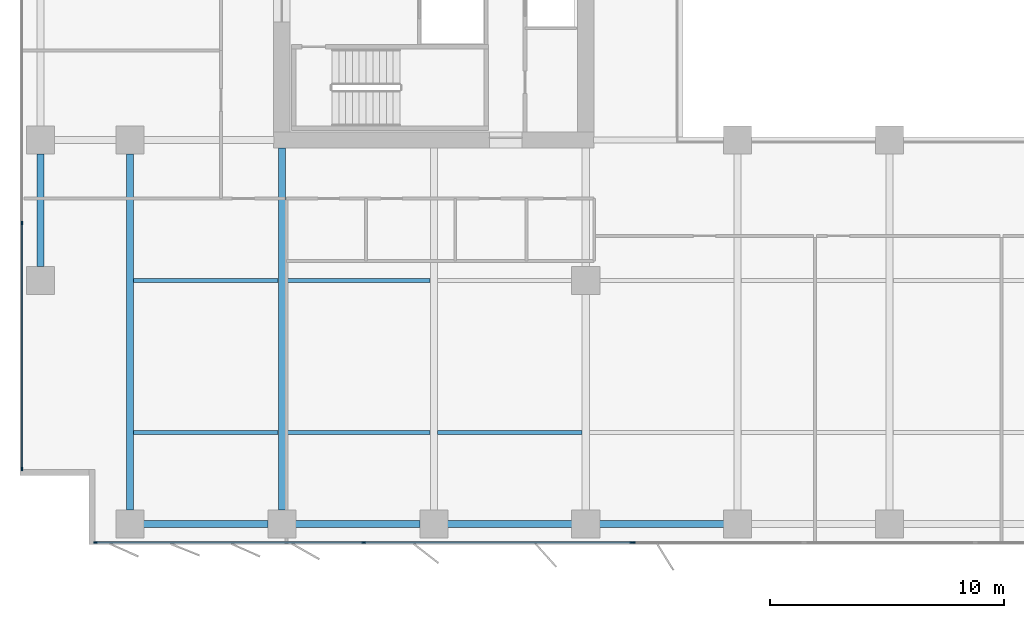
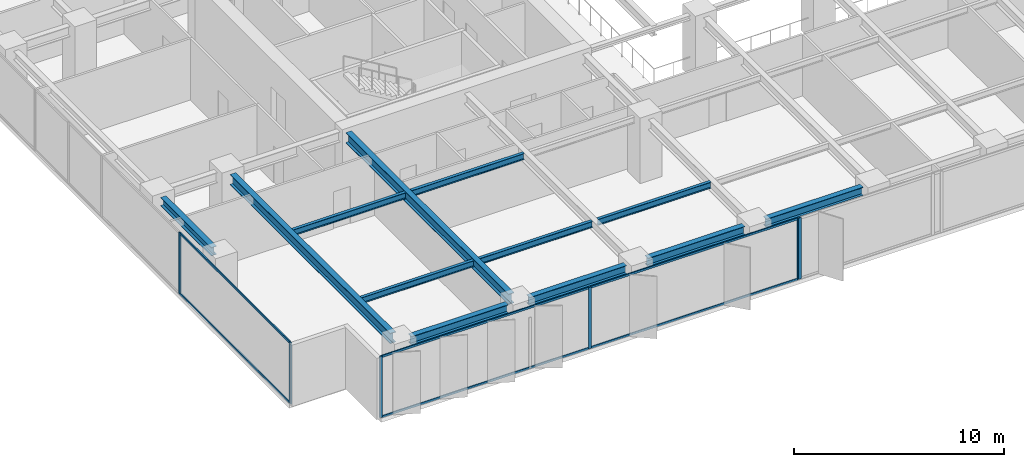
# One storey, part 2 of 20: 12 beams, 12 members, 3 elements without a shape of their own.
"""IFC4 building model written with IfcOpenShell, lengths in metres."""

from ifc_helpers import new_model, si_unit, direction, frame, origin, origin_2d, place, context, subcontext, project, spatial, rectangle, i_section, extrude, material, layer, layer_set, material_profile, profile_set, type_object, element, aggregate, save


model = new_model("IFC4")

# Units and contexts
model_context = context("Model", 3, precision=1e-05, world=origin(), true_north=direction((0.0, 1.0)))
body_context = subcontext(model_context, "Body", "Model", "MODEL_VIEW")
ifc_project = project(units=[si_unit("LENGTHUNIT", "METRE"), si_unit("AREAUNIT", "SQUARE_METRE"), si_unit("VOLUMEUNIT", "CUBIC_METRE"), si_unit("PLANEANGLEUNIT", "RADIAN"), si_unit("MASSUNIT", "GRAM", prefix="KILO")], contexts=[model_context])

# Site, building, storey
site_placement = place(None, origin())
site = spatial("IfcSite", under=ifc_project, at=site_placement, CompositionType="ELEMENT")
building_placement = place(site_placement, origin())
building = spatial("IfcBuilding", under=site, at=building_placement, Name="Putna Gate Headquarters", CompositionType="ELEMENT")
storey_placement = place(building_placement, frame((0.0, 0.0, 120.199951171875)))
storey = spatial("IfcBuildingStorey", under=building, at=storey_placement, Name="L29", CompositionType="ELEMENT", Elevation=120.199951171875)

# Beams
ifc_material_1 = material(Name="Steel S355J2", Category="steel")
ifc_material_profile_1 = material_profile(ifc_material_1, i_section(OverallWidth=0.300048828125, OverallDepth=0.60009765625, WebThickness=0.015380859375, FlangeThickness=0.030029296875, at=origin_2d()), Name="Steel S355J2")
ifc_profile_set_1 = profile_set([ifc_material_profile_1], Name="Steel S355J2")
beam_type_1 = type_object("IfcBeamType", Name="BM-GIRD-Z2-HEB600", PredefinedType="USERDEFINED", material=ifc_profile_set_1)
beam_1_placement = place(storey_placement, frame((6.5, 3.16796875, 3.26513671875), z_axis=(0.0, 1.0, 0.0), x_axis=(-1.0, 0.0, 0.0)))
element("IfcBeam", 1, at=beam_1_placement, inside=storey, type_object=beam_type_1, Name="L29 South Primary Girder X6", ObjectType="GIRDER", PredefinedType="USERDEFINED", context=body_context, shape_type="SweptSolid", body=[
    extrude(i_section(OverallWidth=0.300048828125, OverallDepth=0.60009765625, WebThickness=0.015380859375, FlangeThickness=0.030029296875, at=origin_2d()), origin(), (0.0, 0.0, 1.0), 15.244140625),
])
beam_2_placement = place(storey_placement, frame((13.0, 3.16796875, 3.26513671875), z_axis=(0.0, 1.0, 0.0), x_axis=(-1.0, 0.0, 0.0)))
element("IfcBeam", 2, at=beam_2_placement, inside=storey, type_object=beam_type_1, Name="L29 South Primary Girder X13", ObjectType="GIRDER", PredefinedType="USERDEFINED", context=body_context, shape_type="SweptSolid", body=[
    extrude(i_section(OverallWidth=0.300048828125, OverallDepth=0.60009765625, WebThickness=0.015380859375, FlangeThickness=0.030029296875, at=origin_2d()), origin(), (0.0, 0.0, 1.0), 15.4970703125),
])
ifc_material_profile_2 = material_profile(ifc_material_1, i_section(OverallWidth=0.169921875, OverallDepth=0.360107421875, WebThickness=0.008056640625, FlangeThickness=0.0126953125, at=origin_2d()), Name="Steel S355J2")
ifc_profile_set_2 = profile_set([ifc_material_profile_2], Name="Steel S355J2")
beam_type_2 = type_object("IfcBeamType", Name="BM-SEC-Z2-IPE360", PredefinedType="BEAM", material=ifc_profile_set_2)
for number, where, z_axis, x_axis, name in (
    (3, (6.654052734375, 6.5, 3.385009765625), (1.0, 0.0, 0.0), (0.0, 1.0, 0.0), "L29 South Secondary Beam 1"),
    (4, (6.654052734375, 13.0, 3.385009765625), (1.0, 0.0, 0.0), (0.0, 1.0, 0.0), "L29 South Secondary Beam 1"),
    (5, (13.154052734375, 6.5, 3.385009765625), (1.0, 0.0, 0.0), (0.0, 1.0, 0.0), "L29 South Secondary Beam 2"),
    (6, (13.154052734375, 13.0, 3.385009765625), (1.0, 0.0, 0.0), (0.0, 1.0, 0.0), "L29 South Secondary Beam 2"),
    (7, (19.654052734375, 6.5, 3.385009765625), (1.0, 0.0, 0.0), (0.0, 1.0, 0.0), "L29 South Secondary Beam 3"),
):
    element("IfcBeam", number, at=place(storey_placement, frame(where, z_axis=z_axis, x_axis=x_axis)), inside=storey, type_object=beam_type_2, Name=name, PredefinedType="BEAM", context=body_context, shape_type="SweptSolid", body=[
        extrude(i_section(OverallWidth=0.169921875, OverallDepth=0.360107421875, WebThickness=0.008056640625, FlangeThickness=0.0126953125, at=origin_2d()), origin(), (0.0, 0.0, 1.0), 6.19189453125),
    ])
ifc_material_profile_3 = material_profile(ifc_material_1, i_section(OverallWidth=0.300048828125, OverallDepth=0.489990234375, WebThickness=0.011962890625, FlangeThickness=0.02294921875, at=origin_2d()), Name="Steel S355J2")
ifc_profile_set_3 = profile_set([ifc_material_profile_3], Name="Steel S355J2")
beam_type_3 = type_object("IfcBeamType", Name="BM-SPAN-Z2-HEA500", PredefinedType="SPANDREL", material=ifc_profile_set_3)
for number, where, z_axis, x_axis, name in (
    (8, (7.087890625, 2.580078125, 3.320068359375), (1.0, 0.0, 0.0), (0.0, 1.0, 0.0), "L29 S Perimeter Spandrel 1"),
    (9, (13.587890625, 2.580078125, 3.320068359375), (1.0, 0.0, 0.0), (0.0, 1.0, 0.0), "L29 S Perimeter Spandrel 2"),
    (10, (20.087890625, 2.580078125, 3.320068359375), (1.0, 0.0, 0.0), (0.0, 1.0, 0.0), "L29 S Perimeter Spandrel 3"),
    (11, (26.587890625, 2.580078125, 3.320068359375), (1.0, 0.0, 0.0), (0.0, 1.0, 0.0), "L29 S Perimeter Spandrel 4"),
):
    element("IfcBeam", number, at=place(storey_placement, frame(where, z_axis=z_axis, x_axis=x_axis)), inside=storey, type_object=beam_type_3, Name=name, PredefinedType="SPANDREL", context=body_context, shape_type="SweptSolid", body=[
        extrude(i_section(OverallWidth=0.300048828125, OverallDepth=0.489990234375, WebThickness=0.011962890625, FlangeThickness=0.02294921875, at=origin_2d()), origin(), (0.0, 0.0, 1.0), 5.32421875),
    ])
beam_3_placement = place(storey_placement, frame((2.679931640625, 13.587890625, 3.320068359375), z_axis=(0.0, 1.0, 0.0), x_axis=(-1.0, 0.0, 0.0)))
element("IfcBeam", 12, at=beam_3_placement, inside=storey, type_object=beam_type_3, Name="L29 W End Spandrel 1", PredefinedType="SPANDREL", context=body_context, shape_type="SweptSolid", body=[
    extrude(i_section(OverallWidth=0.300048828125, OverallDepth=0.489990234375, WebThickness=0.011962890625, FlangeThickness=0.02294921875, at=origin_2d()), origin(), (0.0, 0.0, 1.0), 4.82421875),
])

# Curtain wall, members
ifc_material_2 = material(Name="Anodised bronze aluminium curtain wall", Category="aluminium")
ifc_layer_1 = layer(ifc_material_2, 0.159912109375)
ifc_layer_set_1 = layer_set([ifc_layer_1], Name="Anodised bronze aluminium curtain wall")
curtain_wall_type_1 = type_object("IfcCurtainWallType", Name="CW-SYS-Z2", PredefinedType="USERDEFINED", material=ifc_layer_set_1)
curtain_wall_1_placement = place(storey_placement, origin())
curtain_wall_1 = element("IfcCurtainWall", 13, at=curtain_wall_1_placement, inside=storey, type_object=curtain_wall_type_1, Name="L29 South West Curtain Wall", ObjectType="STICK CURTAIN WALL", PredefinedType="USERDEFINED")
ifc_material_3 = material(Name="Anodised bronze aluminium EN AW-6060", Category="aluminium")
ifc_material_profile_4 = material_profile(ifc_material_3, rectangle(XDim=0.06494140625, YDim=0.159912109375, at=origin_2d()), Name="Anodised bronze aluminium EN AW-6060")
ifc_profile_set_4 = profile_set([ifc_material_profile_4], Name="Anodised bronze aluminium EN AW-6060")
member_type_1 = type_object("IfcMemberType", Name="MULL-CWM-2", PredefinedType="MULLION", material=ifc_profile_set_4)
member_1_placement = place(storey_placement, frame((5.032470703125, 1.780029296875, 0.0), z_axis=(0.0, 0.0, 1.0), x_axis=(0.0, 1.0, 0.0)))
member_1 = element("IfcMember", 14, at=member_1_placement, type_object=member_type_1, Name="CWS-2 mullion 1", PredefinedType="MULLION", context=body_context, shape_type="SweptSolid", body=[
    extrude(rectangle(XDim=0.06494140625, YDim=0.159912109375, at=origin_2d()), origin(), (0.0, 0.0, 1.0), 3.56494140625),
])
member_2_placement = place(storey_placement, frame((16.5, 1.780029296875, 0.0), z_axis=(0.0, 0.0, 1.0), x_axis=(0.0, 1.0, 0.0)))
member_2 = element("IfcMember", 15, at=member_2_placement, type_object=member_type_1, Name="CWS-2 mullion 2", PredefinedType="MULLION", context=body_context, shape_type="SweptSolid", body=[
    extrude(rectangle(XDim=0.06494140625, YDim=0.159912109375, at=origin_2d()), origin(), (0.0, 0.0, 1.0), 3.56494140625),
])
member_3_placement = place(storey_placement, frame((27.967529296875, 1.780029296875, 0.0), z_axis=(0.0, 0.0, 1.0), x_axis=(0.0, 1.0, 0.0)))
member_3 = element("IfcMember", 16, at=member_3_placement, type_object=member_type_1, Name="CWS-2 mullion 3", PredefinedType="MULLION", context=body_context, shape_type="SweptSolid", body=[
    extrude(rectangle(XDim=0.06494140625, YDim=0.159912109375, at=origin_2d()), origin(), (0.0, 0.0, 1.0), 3.56494140625),
])

curtain_wall_2_placement = place(storey_placement, origin())
curtain_wall_2 = element("IfcCurtainWall", 17, at=curtain_wall_2_placement, inside=storey, type_object=curtain_wall_type_1, Name="L29 West Curtain Wall", ObjectType="STICK CURTAIN WALL", PredefinedType="USERDEFINED")
member_4_placement = place(storey_placement, frame((1.8798828125, 4.9326171875, 0.0), z_axis=(0.0, 0.0, 1.0), x_axis=(-1.0, 0.0, 0.0)))
member_4 = element("IfcMember", 18, at=member_4_placement, type_object=member_type_1, Name="CWS-2 mullion 1", PredefinedType="MULLION", context=body_context, shape_type="SweptSolid", body=[
    extrude(rectangle(XDim=0.06494140625, YDim=0.159912109375, at=origin_2d()), origin(), (0.0, 0.0, 1.0), 3.56494140625),
])
member_5_placement = place(storey_placement, frame((1.8798828125, 15.449951171875, 0.0), z_axis=(0.0, 0.0, 1.0), x_axis=(-1.0, 0.0, 0.0)))
member_5 = element("IfcMember", 19, at=member_5_placement, type_object=member_type_1, Name="CWS-2 mullion 2", PredefinedType="MULLION", context=body_context, shape_type="SweptSolid", body=[
    extrude(rectangle(XDim=0.06494140625, YDim=0.159912109375, at=origin_2d()), origin(), (0.0, 0.0, 1.0), 3.56494140625),
])

# Curtain wall, member
ifc_layer_2 = layer(ifc_material_2, 0.179931640625)
ifc_layer_set_2 = layer_set([ifc_layer_2], Name="Anodised bronze aluminium curtain wall")
curtain_wall_type_2 = type_object("IfcCurtainWallType", Name="CW-SYS-ATR", PredefinedType="USERDEFINED", material=ifc_layer_set_2)
curtain_wall_3_placement = place(storey_placement, origin())
curtain_wall_3 = element("IfcCurtainWall", 20, at=curtain_wall_3_placement, inside=storey, type_object=curtain_wall_type_2, Name="L29 South Atrium Clear Glazing", ObjectType="ATRIUM GLAZING", PredefinedType="USERDEFINED")
ifc_material_profile_5 = material_profile(ifc_material_3, rectangle(XDim=0.070068359375, YDim=0.179931640625, at=origin_2d()), Name="Anodised bronze aluminium EN AW-6060")
ifc_profile_set_5 = profile_set([ifc_material_profile_5], Name="Anodised bronze aluminium EN AW-6060")
member_type_2 = type_object("IfcMemberType", Name="MULL-CWM-AT", PredefinedType="MULLION", material=ifc_profile_set_5)
member_6_placement = place(storey_placement, frame((28.034912109375, 1.780029296875, 0.0), z_axis=(0.0, 0.0, 1.0), x_axis=(0.0, 1.0, 0.0)))
member_6 = element("IfcMember", 21, at=member_6_placement, type_object=member_type_2, Name="CWS-AT mullion 1", PredefinedType="MULLION", context=body_context, shape_type="SweptSolid", body=[
    extrude(rectangle(XDim=0.070068359375, YDim=0.179931640625, at=origin_2d()), origin(), (0.0, 0.0, 1.0), 3.56494140625),
])
aggregate(curtain_wall_3, [member_6])

# Member
ifc_material_profile_6 = material_profile(ifc_material_3, rectangle(XDim=0.06494140625, YDim=0.1201171875, at=origin_2d()), Name="Anodised bronze aluminium EN AW-6060")
ifc_profile_set_6 = profile_set([ifc_material_profile_6], Name="Anodised bronze aluminium EN AW-6060")
member_type_3 = type_object("IfcMemberType", Name="TRAN-CWT-2", PredefinedType="USERDEFINED", material=ifc_profile_set_6)
member_7_placement = place(storey_placement, frame((5.06494140625, 1.780029296875, 0.032470703125), z_axis=(1.0, 0.0, 0.0), x_axis=(0.0, 1.0, 0.0)))
member_7 = element("IfcMember", 22, at=member_7_placement, type_object=member_type_3, Name="CWS-2 transom 1.1", ObjectType="TRANSOM", PredefinedType="USERDEFINED", context=body_context, shape_type="SweptSolid", body=[
    extrude(rectangle(XDim=0.06494140625, YDim=0.1201171875, at=origin_2d()), origin(), (0.0, 0.0, 1.0), 11.402587890625),
])

member_8_placement = place(storey_placement, frame((5.06494140625, 1.780029296875, 3.532470703125), z_axis=(1.0, 0.0, 0.0), x_axis=(0.0, 1.0, 0.0)))
member_8 = element("IfcMember", 23, at=member_8_placement, type_object=member_type_3, Name="CWS-2 transom 1.2", ObjectType="TRANSOM", PredefinedType="USERDEFINED", context=body_context, shape_type="SweptSolid", body=[
    extrude(rectangle(XDim=0.06494140625, YDim=0.1201171875, at=origin_2d()), origin(), (0.0, 0.0, 1.0), 11.402587890625),
])

member_9_placement = place(storey_placement, frame((16.532470703125, 1.780029296875, 0.032470703125), z_axis=(1.0, 0.0, 0.0), x_axis=(0.0, 1.0, 0.0)))
member_9 = element("IfcMember", 24, at=member_9_placement, type_object=member_type_3, Name="CWS-2 transom 2.1", ObjectType="TRANSOM", PredefinedType="USERDEFINED", context=body_context, shape_type="SweptSolid", body=[
    extrude(rectangle(XDim=0.06494140625, YDim=0.1201171875, at=origin_2d()), origin(), (0.0, 0.0, 1.0), 11.402587890625),
])

member_10_placement = place(storey_placement, frame((16.532470703125, 1.780029296875, 3.532470703125), z_axis=(1.0, 0.0, 0.0), x_axis=(0.0, 1.0, 0.0)))
member_10 = element("IfcMember", 25, at=member_10_placement, type_object=member_type_3, Name="CWS-2 transom 2.2", ObjectType="TRANSOM", PredefinedType="USERDEFINED", context=body_context, shape_type="SweptSolid", body=[
    extrude(rectangle(XDim=0.06494140625, YDim=0.1201171875, at=origin_2d()), origin(), (0.0, 0.0, 1.0), 11.402587890625),
])

aggregate(curtain_wall_1, [member_1, member_2, member_3, member_7, member_8, member_9, member_10])

member_11_placement = place(storey_placement, frame((1.8798828125, 4.965087890625, 0.032470703125), z_axis=(0.0, 1.0, 0.0), x_axis=(-1.0, 0.0, 0.0)))
member_11 = element("IfcMember", 26, at=member_11_placement, type_object=member_type_3, Name="CWS-2 transom 1.1", ObjectType="TRANSOM", PredefinedType="USERDEFINED", context=body_context, shape_type="SweptSolid", body=[
    extrude(rectangle(XDim=0.06494140625, YDim=0.1201171875, at=origin_2d()), origin(), (0.0, 0.0, 1.0), 10.452392578125),
])

member_12_placement = place(storey_placement, frame((1.8798828125, 4.965087890625, 3.532470703125), z_axis=(0.0, 1.0, 0.0), x_axis=(-1.0, 0.0, 0.0)))
member_12 = element("IfcMember", 27, at=member_12_placement, type_object=member_type_3, Name="CWS-2 transom 1.2", ObjectType="TRANSOM", PredefinedType="USERDEFINED", context=body_context, shape_type="SweptSolid", body=[
    extrude(rectangle(XDim=0.06494140625, YDim=0.1201171875, at=origin_2d()), origin(), (0.0, 0.0, 1.0), 10.452392578125),
])

aggregate(curtain_wall_2, [member_4, member_5, member_11, member_12])

save(model, "model.ifc")
